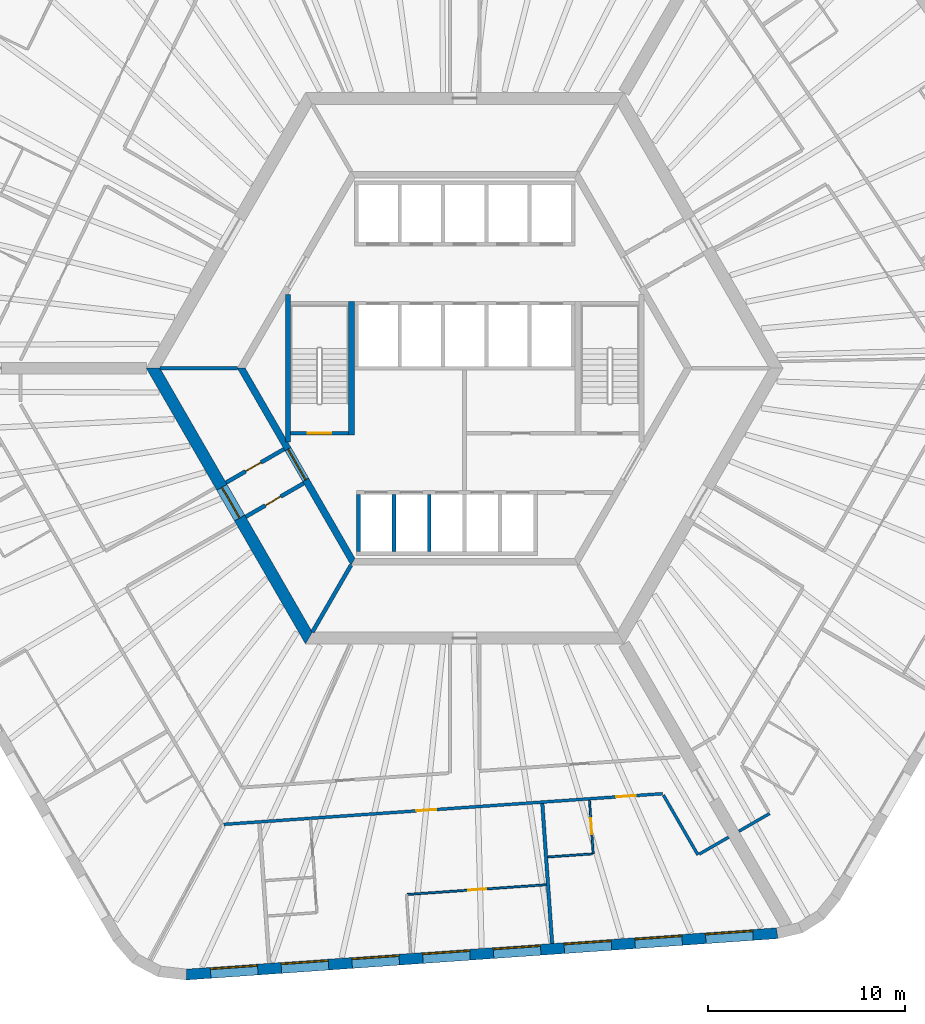
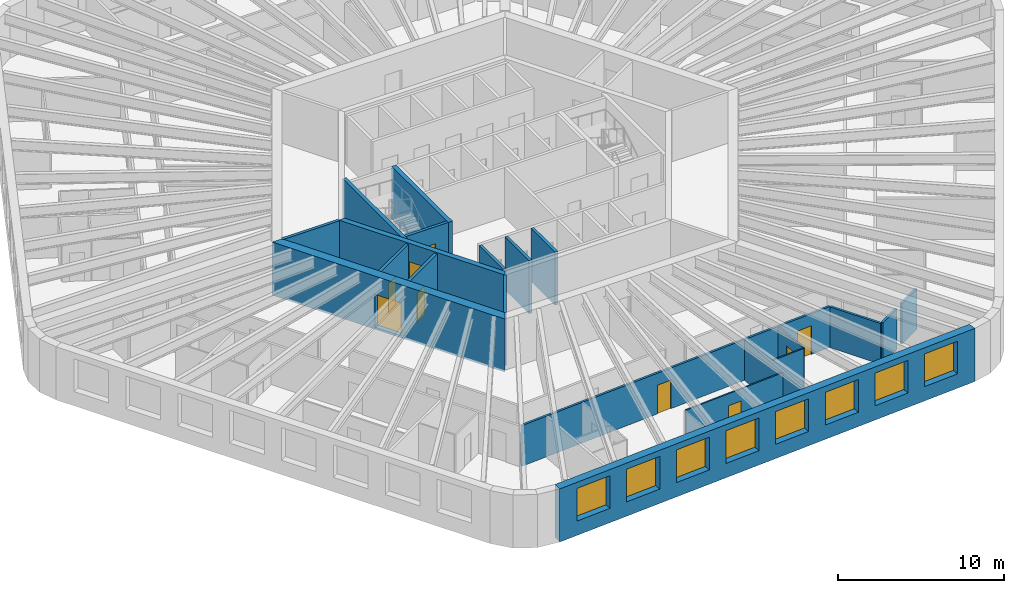
# One storey, part 4 of 12: 21 walls, 9 doors, 8 windows, 17 openings.
"""IFC4 building model written with IfcOpenShell, lengths in metres."""

from ifc_helpers import new_model, si_unit, direction, frame, frame_2d, origin, place, context, subcontext, project, spatial, polyline, rectangle, outline, extrude, material, layer, layer_set, type_object, element, fill, save


model = new_model("IFC4")

# Units and contexts
model_context = context("Model", 3, precision=1e-05, world=origin(), true_north=direction((0.0, 1.0)))
body_context = subcontext(model_context, "Body", "Model", "MODEL_VIEW")
ifc_project = project(units=[si_unit("LENGTHUNIT", "METRE"), si_unit("AREAUNIT", "SQUARE_METRE"), si_unit("VOLUMEUNIT", "CUBIC_METRE"), si_unit("PLANEANGLEUNIT", "RADIAN"), si_unit("MASSUNIT", "GRAM", prefix="KILO")], contexts=[model_context])

# Site, building, storey
site_placement = place(None, origin())
site = spatial("IfcSite", under=ifc_project, at=site_placement, CompositionType="ELEMENT")
building_placement = place(site_placement, origin())
building = spatial("IfcBuilding", under=site, at=building_placement, Name="Tarnside Tower", CompositionType="ELEMENT")
storey_placement = place(building_placement, frame((0.0, 0.0, 96.0)))
storey = spatial("IfcBuildingStorey", under=building, at=storey_placement, Name="L21", CompositionType="ELEMENT", Elevation=96.0)

# Wall, opening, door
ifc_material_1 = material(Name="Gypsum board partition on steel studs", Category="steel")
ifc_layer_1 = layer(ifc_material_1, 0.10009765625)
ifc_layer_set_1 = layer_set([ifc_layer_1], Name="Bathroom wall 100")
wall_type_1 = type_object("IfcWallType", Name="Bathroom wall 100", PredefinedType="PARTITIONING", material=ifc_layer_set_1)
wall_1_placement = place(storey_placement, frame((6.33447265625, -21.9365234375, 0.0), z_axis=(0.0, 0.0, 1.0), x_axis=(0.069789009646, -0.997561774595, 0.0)))
wall_1 = element("IfcWall", 1, at=wall_1_placement, inside=storey, type_object=wall_type_1, Name="Bathroom wall 06136", PredefinedType="PARTITIONING", context=body_context, shape_type="SweptSolid", body=[
    extrude(rectangle(XDim=2.72509765625, YDim=0.10009765625, at=frame_2d((1.362548828125, 0.0))), origin(), (0.0, 0.0, 1.0), 2.98779296875),
])
opening_1_placement = place(wall_1_placement, frame((0.925048828125, 0.0, 0.0)))
opening_1 = element("IfcOpeningElement", 2, at=opening_1_placement, cuts=wall_1, Name="Opening D-B1", PredefinedType="OPENING", context=body_context, shape_type="SweptSolid", body=[
    extrude(rectangle(XDim=0.800048828125, YDim=2.10009765625, at=frame_2d((0.39990234375, 1.050048828125))), frame((0.0, 0.06005859375, 0.0), z_axis=(0.0, -1.0, 0.0), x_axis=(1.0, 0.0, 0.0)), (0.0, 0.0, 1.0), 0.1201171875),
])
ifc_material_2 = material(Name="Timber door leaf", Category="wood")
door_type_1 = type_object("IfcDoorType", Name="Bathroom door 800", OperationType="NOTDEFINED", PredefinedType="DOOR", material=ifc_material_2)
door_1_placement = place(opening_1_placement, origin())
door_1 = element("IfcDoor", 3, at=door_1_placement, inside=storey, type_object=door_type_1, Name="Bathroom door 06029", OperationType="SINGLE_SWING_RIGHT", OverallHeight=2.10009765625, OverallWidth=0.800048828125, PredefinedType="DOOR", context=body_context, shape_type="SweptSolid", body=[
    extrude(rectangle(XDim=0.800048828125, YDim=2.10009765625, at=frame_2d((0.39990234375, 1.050048828125))), frame((0.0, 0.02490234375, 0.0), z_axis=(0.0, -1.0, 0.0), x_axis=(1.0, 0.0, 0.0)), (0.0, 0.0, 1.0), 0.050048828125),
])
fill(opening_1, door_1)

# Wall
wall_2_placement = place(storey_placement, frame((6.474853515625, -24.658447265625, 0.0), z_axis=(0.0, 0.0, 1.0), x_axis=(-0.997562351999, -0.069780755754, 0.0)))
element("IfcWall", 4, at=wall_2_placement, inside=storey, type_object=wall_type_1, Name="Bathroom wall 06137", PredefinedType="PARTITIONING", context=body_context, shape_type="SweptSolid", body=[
    extrude(rectangle(XDim=2.26025390625, YDim=0.10009765625, at=frame_2d((1.130126953125, 0.0))), origin(), (0.0, 0.0, 1.0), 2.98779296875),
])

# Wall, opening, door
ifc_material_3 = material(Name="Concrete C50/60", Category="concrete")
ifc_layer_2 = layer(ifc_material_3, 0.35009765625)
ifc_layer_set_2 = layer_set([ifc_layer_2], Name="Core block wall 350 C50/60")
wall_type_2 = type_object("IfcWallType", Name="Core block wall 350 C50/60", PredefinedType="SHEAR", material=ifc_layer_set_2)
wall_3_placement = place(storey_placement, frame((-11.344970703125, 0.0, -0.14990234375), z_axis=(0.0, 0.0, 1.0), x_axis=(0.499995046907, -0.866028263435, 0.0)))
wall_3 = element("IfcWall", 5, at=wall_3_placement, inside=storey, type_object=wall_type_2, Name="L21 core block wall face 3", PredefinedType="SHEAR", context=body_context, shape_type="SweptSolid", body=[
    extrude(outline(polyline([(-0.10107421875, -0.175048828125), (11.44580078125, -0.175048828125), (11.24365234375, 0.175048828125), (0.10107421875, 0.175048828125), (-0.10107421875, -0.175048828125)])), origin(), (0.0, 0.0, 1.0), 3.89990234375),
])
opening_2_placement = place(wall_3_placement, frame((4.74365234375, 0.0, 0.14990234375)))
opening_2 = element("IfcOpeningElement", 6, at=opening_2_placement, cuts=wall_3, Name="Opening CD-FFL", PredefinedType="OPENING", context=body_context, shape_type="SweptSolid", body=[
    extrude(rectangle(XDim=1.800048828125, YDim=2.39990234375, at=frame_2d((0.89990234375, 1.199951171875))), frame((0.0, 0.18505859375, 0.0), z_axis=(0.0, -1.0, 0.0), x_axis=(1.0, 0.0, 0.0)), (0.0, 0.0, 1.0), 0.3701171875),
])
ifc_material_4 = material(Name="Steel fire door", Category="steel")
door_type_2 = type_object("IfcDoorType", Name="Firefighting lobby double door FD60S 1800x2400", OperationType="NOTDEFINED", PredefinedType="DOOR", material=ifc_material_4)
door_2_placement = place(opening_2_placement, origin())
door_2 = element("IfcDoor", 7, at=door_2_placement, inside=storey, type_object=door_type_2, Name="L21 lobby block door P3", OperationType="DOUBLE_DOOR_SINGLE_SWING", OverallHeight=2.39990234375, OverallWidth=1.800048828125, PredefinedType="DOOR", context=body_context, shape_type="SweptSolid", body=[
    extrude(rectangle(XDim=1.800048828125, YDim=2.39990234375, at=frame_2d((0.89990234375, 1.199951171875))), frame((0.0, 0.02490234375, 0.0), z_axis=(0.0, -1.0, 0.0), x_axis=(1.0, 0.0, 0.0)), (0.0, 0.0, 1.0), 0.050048828125),
])
fill(opening_2, door_2)

ifc_material_5 = material(Name="Concrete C40/50", Category="concrete")
ifc_layer_3 = layer(ifc_material_5, 0.199951171875)
ifc_layer_set_3 = layer_set([ifc_layer_3], Name="Core room partition 200 C40/50")
wall_type_3 = type_object("IfcWallType", Name="Core room partition 200 C40/50", PredefinedType="PARTITIONING", material=ifc_layer_set_3)
wall_4_placement = place(storey_placement, frame((-8.1748046875, -5.841064453125, 0.0), z_axis=(0.0, 0.0, 1.0), x_axis=(-0.866020560687, -0.500008388397, 0.0)))
wall_4 = element("IfcWall", 8, at=wall_4_placement, inside=storey, type_object=wall_type_3, Name="L21 core partition AC2L", PredefinedType="PARTITIONING", context=body_context, shape_type="SweptSolid", body=[
    extrude(rectangle(XDim=3.39990234375, YDim=0.199951171875, at=frame_2d((1.699951171875, 0.0))), origin(), (0.0, 0.0, 1.0), 3.64990234375),
])
opening_3_placement = place(wall_4_placement, frame((1.349609375, 0.0, 0.0)))
opening_3 = element("IfcOpeningElement", 9, at=opening_3_placement, cuts=wall_4, Name="Opening CD-room", PredefinedType="OPENING", context=body_context, shape_type="SweptSolid", body=[
    extrude(rectangle(XDim=0.89990234375, YDim=2.10009765625, at=frame_2d((0.449951171875, 1.050048828125))), frame((0.0, 0.10986328125, 0.0), z_axis=(0.0, -1.0, 0.0), x_axis=(1.0, 0.0, 0.0)), (0.0, 0.0, 1.0), 0.219970703125),
])
door_type_3 = type_object("IfcDoorType", Name="Room door FD60 900x2100", OperationType="NOTDEFINED", PredefinedType="DOOR", material=ifc_material_4)
door_3_placement = place(opening_3_placement, origin())
door_3 = element("IfcDoor", 10, at=door_3_placement, inside=storey, type_object=door_type_3, Name="L21 core room door AX2L", OperationType="SINGLE_SWING_LEFT", OverallHeight=2.10009765625, OverallWidth=0.89990234375, PredefinedType="DOOR", context=body_context, shape_type="SweptSolid", body=[
    extrude(rectangle(XDim=0.89990234375, YDim=2.10009765625, at=frame_2d((0.449951171875, 1.050048828125))), frame((0.0, 0.02490234375, 0.0), z_axis=(0.0, -1.0, 0.0), x_axis=(1.0, 0.0, 0.0)), (0.0, 0.0, 1.0), 0.050048828125),
])
fill(opening_3, door_3)

wall_5_placement = place(storey_placement, frame((-9.1748046875, -4.10888671875, 0.0), z_axis=(0.0, 0.0, 1.0), x_axis=(-0.865989465428, -0.500062241894, 0.0)))
wall_5 = element("IfcWall", 11, at=wall_5_placement, inside=storey, type_object=wall_type_3, Name="L21 core partition AC2R", PredefinedType="PARTITIONING", context=body_context, shape_type="SweptSolid", body=[
    extrude(rectangle(XDim=3.39990234375, YDim=0.199951171875, at=frame_2d((1.699951171875, 0.0))), origin(), (0.0, 0.0, 1.0), 3.64990234375),
])
opening_4_placement = place(wall_5_placement, frame((1.3505859375, 0.0, 0.0)))
opening_4 = element("IfcOpeningElement", 12, at=opening_4_placement, cuts=wall_5, Name="Opening CD-room", PredefinedType="OPENING", context=body_context, shape_type="SweptSolid", body=[
    extrude(rectangle(XDim=0.89990234375, YDim=2.10009765625, at=frame_2d((0.449951171875, 1.050048828125))), frame((0.0, 0.10986328125, 0.0), z_axis=(0.0, -1.0, 0.0), x_axis=(1.0, 0.0, 0.0)), (0.0, 0.0, 1.0), 0.219970703125),
])
door_4_placement = place(opening_4_placement, origin())
door_4 = element("IfcDoor", 13, at=door_4_placement, inside=storey, type_object=door_type_3, Name="L21 core room door AX2R", OperationType="SINGLE_SWING_LEFT", OverallHeight=2.10009765625, OverallWidth=0.89990234375, PredefinedType="DOOR", context=body_context, shape_type="SweptSolid", body=[
    extrude(rectangle(XDim=0.89990234375, YDim=2.10009765625, at=frame_2d((0.449951171875, 1.050048828125))), frame((0.0, 0.02490234375, 0.0), z_axis=(0.0, -1.0, 0.0), x_axis=(1.0, 0.0, 0.0)), (0.0, 0.0, 1.0), 0.050048828125),
])
fill(opening_4, door_4)

ifc_material_6 = material(Name="Concrete C80/95", Category="concrete")
ifc_layer_4 = layer(ifc_material_6, 0.60009765625)
ifc_layer_set_4 = layer_set([ifc_layer_4], Name="Core wall Z1 600 C80/95")
wall_type_4 = type_object("IfcWallType", Name="Core wall Z1 600 C80/95", PredefinedType="SHEAR", material=ifc_layer_set_4)
wall_6_placement = place(storey_placement, frame((-15.8193359375, 0.0, -0.14990234375), z_axis=(0.0, 0.0, 1.0), x_axis=(0.499999880136, -0.866025472988, 0.0)))
wall_6 = element("IfcWall", 14, at=wall_6_placement, inside=storey, type_object=wall_type_4, Name="L21 core wall face 3", PredefinedType="SHEAR", context=body_context, shape_type="SweptSolid", body=[
    extrude(outline(polyline([(-0.17333984375, -0.300048828125), (15.99267578125, -0.300048828125), (15.64599609375, 0.300048828125), (0.17333984375, 0.300048828125), (-0.17333984375, -0.300048828125)])), origin(), (0.0, 0.0, 1.0), 3.89990234375),
])
opening_5_placement = place(wall_6_placement, frame((6.980712890625, 0.0, 0.14990234375)))
opening_5 = element("IfcOpeningElement", 15, at=opening_5_placement, cuts=wall_6, Name="Opening CD-FFL", PredefinedType="OPENING", context=body_context, shape_type="SweptSolid", body=[
    extrude(rectangle(XDim=1.800048828125, YDim=2.39990234375, at=frame_2d((0.89990234375, 1.199951171875))), frame((0.0, 0.31005859375, 0.0), z_axis=(0.0, -1.0, 0.0), x_axis=(1.0, 0.0, 0.0)), (0.0, 0.0, 1.0), 0.6201171875),
])
door_5_placement = place(opening_5_placement, origin())
door_5 = element("IfcDoor", 16, at=door_5_placement, inside=storey, type_object=door_type_2, Name="L21 core door P3", OperationType="DOUBLE_DOOR_SINGLE_SWING", OverallHeight=2.39990234375, OverallWidth=1.800048828125, PredefinedType="DOOR", context=body_context, shape_type="SweptSolid", body=[
    extrude(rectangle(XDim=1.800048828125, YDim=2.39990234375, at=frame_2d((0.89990234375, 1.199951171875))), frame((0.0, 0.02490234375, 0.0), z_axis=(0.0, -1.0, 0.0), x_axis=(1.0, 0.0, 0.0)), (0.0, 0.0, 1.0), 0.050048828125),
])
fill(opening_5, door_5)

# Wall, openings, doors
ifc_layer_5 = layer(ifc_material_1, 0.14990234375)
ifc_layer_set_5 = layer_set([ifc_layer_5], Name="Corridor wall 150 EI 60")
wall_type_5 = type_object("IfcWallType", Name="Corridor wall 150 EI 60", PredefinedType="PARTITIONING", material=ifc_layer_set_5)
wall_7_placement = place(storey_placement, frame((-12.234130859375, -23.159912109375, 0.0), z_axis=(0.0, 0.0, 1.0), x_axis=(0.997563845372, 0.069759403714, 0.0)))
wall_7 = element("IfcWall", 17, at=wall_7_placement, inside=storey, type_object=wall_type_5, Name="Corridor wall 06033", PredefinedType="PARTITIONING", context=body_context, shape_type="SweptSolid", body=[
    extrude(rectangle(XDim=22.33544921875, YDim=0.14990234375, at=frame_2d((11.167724609375, 0.0))), origin(), (0.0, 0.0, 1.0), 2.98779296875),
])
opening_6_placement = place(wall_7_placement, frame((9.808837890625, 0.0, 0.0)))
opening_6 = element("IfcOpeningElement", 18, at=opening_6_placement, cuts=wall_7, Name="Opening D-E1", PredefinedType="OPENING", context=body_context, shape_type="SweptSolid", body=[
    extrude(rectangle(XDim=1.0, YDim=2.10009765625, at=frame_2d((0.5, 1.050048828125))), frame((0.0, 0.0849609375, 0.0), z_axis=(0.0, -1.0, 0.0), x_axis=(1.0, 0.0, 0.0)), (0.0, 0.0, 1.0), 0.169921875),
])
opening_7_placement = place(wall_7_placement, frame((19.97216796875, 0.0, 0.0)))
opening_7 = element("IfcOpeningElement", 19, at=opening_7_placement, cuts=wall_7, Name="Opening D-E1", PredefinedType="OPENING", context=body_context, shape_type="SweptSolid", body=[
    extrude(rectangle(XDim=1.0, YDim=2.10009765625, at=frame_2d((0.5, 1.050048828125))), frame((0.0, 0.0849609375, 0.0), z_axis=(0.0, -1.0, 0.0), x_axis=(1.0, 0.0, 0.0)), (0.0, 0.0, 1.0), 0.169921875),
])
door_type_4 = type_object("IfcDoorType", Name="Unit entrance door 1000 FD30S", OperationType="NOTDEFINED", PredefinedType="DOOR", material=ifc_material_2)
door_6_placement = place(opening_6_placement, origin())
door_6 = element("IfcDoor", 20, at=door_6_placement, inside=storey, type_object=door_type_4, Name="Unit door 06024", OperationType="SINGLE_SWING_RIGHT", OverallHeight=2.10009765625, OverallWidth=1.0, PredefinedType="DOOR", context=body_context, shape_type="SweptSolid", body=[
    extrude(rectangle(XDim=1.0, YDim=2.10009765625, at=frame_2d((0.5, 1.050048828125))), frame((0.0, 0.02490234375, 0.0), z_axis=(0.0, -1.0, 0.0), x_axis=(1.0, 0.0, 0.0)), (0.0, 0.0, 1.0), 0.050048828125),
])
fill(opening_6, door_6)
door_7_placement = place(opening_7_placement, origin())
door_7 = element("IfcDoor", 21, at=door_7_placement, inside=storey, type_object=door_type_4, Name="Unit door 06028", OperationType="SINGLE_SWING_LEFT", OverallHeight=2.10009765625, OverallWidth=1.0, PredefinedType="DOOR", context=body_context, shape_type="SweptSolid", body=[
    extrude(rectangle(XDim=1.0, YDim=2.10009765625, at=frame_2d((0.5, 1.050048828125))), frame((0.0, 0.02490234375, 0.0), z_axis=(0.0, -1.0, 0.0), x_axis=(1.0, 0.0, 0.0)), (0.0, 0.0, 1.0), 0.050048828125),
])
fill(opening_7, door_7)

# Walls
wall_8_placement = place(storey_placement, frame((10.088623046875, -21.674072265625, 0.0), z_axis=(0.0, 0.0, 1.0), x_axis=(0.500003763204, -0.866023231087, 0.0)))
element("IfcWall", 22, at=wall_8_placement, inside=storey, type_object=wall_type_5, Name="Corridor wall 06037", PredefinedType="PARTITIONING", context=body_context, shape_type="SweptSolid", body=[
    extrude(rectangle(XDim=3.505859375, YDim=0.14990234375, at=frame_2d((1.7529296875, 0.0))), origin(), (0.0, 0.0, 1.0), 2.98779296875),
])
wall_9_placement = place(storey_placement, frame((11.906494140625, -24.672607421875, 0.0), z_axis=(0.0, 0.0, 1.0), x_axis=(0.866013532718, 0.500020560727, 0.0)))
element("IfcWall", 23, at=wall_9_placement, inside=storey, type_object=wall_type_5, Name="Corridor wall 06038", PredefinedType="PARTITIONING", context=body_context, shape_type="SweptSolid", body=[
    extrude(rectangle(XDim=1.72509765625, YDim=0.14990234375, at=frame_2d((0.862548828125, 0.0))), origin(), (0.0, 0.0, 1.0), 2.98779296875),
])
wall_10_placement = place(storey_placement, frame((13.919921875, -23.510009765625, 0.0), z_axis=(0.0, 0.0, 1.0), x_axis=(0.866047807691, 0.499961193289, 0.0)))
element("IfcWall", 24, at=wall_10_placement, inside=storey, type_object=wall_type_5, Name="Corridor wall 06050", PredefinedType="PARTITIONING", context=body_context, shape_type="SweptSolid", body=[
    extrude(rectangle(XDim=1.800048828125, YDim=0.14990234375, at=frame_2d((0.89990234375, 0.0))), origin(), (0.0, 0.0, 1.0), 2.98779296875),
])
ifc_layer_6 = layer(ifc_material_1, 0.179931640625)
ifc_layer_set_6 = layer_set([ifc_layer_6], Name="Demising wall 180 EI 60")
wall_type_6 = type_object("IfcWallType", Name="Demising wall 180 EI 60", PredefinedType="PARTITIONING", material=ifc_layer_set_6)
wall_11_placement = place(storey_placement, frame((4.4375, -29.211669921875, 0.0), z_axis=(0.0, 0.0, 1.0), x_axis=(-0.069764000094, 0.997563523938, 0.0)))
element("IfcWall", 25, at=wall_11_placement, inside=storey, type_object=wall_type_6, Name="Demising wall 06132", PredefinedType="PARTITIONING", context=body_context, shape_type="SweptSolid", body=[
    extrude(rectangle(XDim=7.125, YDim=0.179931640625, at=frame_2d((3.5625, 0.0))), origin(), (0.0, 0.0, 1.0), 2.98779296875),
])
ifc_layer_7 = layer(ifc_material_5, 0.199951171875)
ifc_layer_set_7 = layer_set([ifc_layer_7], Name="Lift shaft wall 200 C40/50")
wall_type_7 = type_object("IfcWallType", Name="Lift shaft wall 200 C40/50", PredefinedType="SHEAR", material=ifc_layer_set_7)
for number, where, z_axis, x_axis, name in (
    (26, (-5.39990234375, -9.300048828125, -0.25), (0.0, 0.0, 1.0), (0.0, 1.0, 0.0), "L21 lift shaft partition R41"),
    (27, (-3.60009765625, -9.300048828125, -0.25), (0.0, 0.0, 1.0), (0.0, 1.0, 0.0), "L21 lift shaft partition R42"),
    (28, (-1.800048828125, -9.300048828125, -0.25), (0.0, 0.0, 1.0), (0.0, 1.0, 0.0), "L21 lift shaft partition R43"),
):
    element("IfcWall", number, at=place(storey_placement, frame(where, z_axis=z_axis, x_axis=x_axis)), inside=storey, type_object=wall_type_7, Name=name, PredefinedType="SHEAR", context=body_context, shape_type="SweptSolid", body=[
        extrude(rectangle(XDim=2.900146484375, YDim=0.199951171875, at=frame_2d((1.4501953125, 0.0))), origin(), (0.0, 0.0, 1.0), 3.89990234375),
    ])
wall_12_placement = place(storey_placement, frame((-11.547119140625, 0.0, -0.14990234375), z_axis=(0.0, 0.0, 1.0), x_axis=(-1.0, 0.0, 0.0)))
element("IfcWall", 29, at=wall_12_placement, inside=storey, type_object=wall_type_7, Name="L21 core partition AR180", PredefinedType="SHEAR", context=body_context, shape_type="SweptSolid", body=[
    extrude(rectangle(XDim=3.92578125, YDim=0.199951171875, at=frame_2d((1.962890625, 0.0))), origin(), (0.0, 0.0, 1.0), 3.89990234375),
])
wall_13_placement = place(storey_placement, frame((-5.7734375, -10.0, -0.14990234375), z_axis=(0.0, 0.0, 1.0), x_axis=(-0.500038251005, -0.86600331843, 0.0)))
element("IfcWall", 30, at=wall_13_placement, inside=storey, type_object=wall_type_7, Name="L21 core partition AR240", PredefinedType="SHEAR", context=body_context, shape_type="SweptSolid", body=[
    extrude(rectangle(XDim=3.926025390625, YDim=0.199951171875, at=frame_2d((1.962890625, 0.0))), origin(), (0.0, 0.0, 1.0), 3.89990234375),
])

# Wall, opening, door
wall_14_placement = place(storey_placement, frame((-8.85009765625, -3.300048828125, -0.25), z_axis=(0.0, 0.0, 1.0), x_axis=(1.0, 0.0, 0.0)))
wall_14 = element("IfcWall", 31, at=wall_14_placement, inside=storey, type_object=wall_type_7, Name="L21 stair 2 enclosure cap wall s", PredefinedType="SHEAR", context=body_context, shape_type="SweptSolid", body=[
    extrude(rectangle(XDim=2.9501953125, YDim=0.199951171875, at=frame_2d((1.47509765625, 0.0))), origin(), (0.0, 0.0, 1.0), 3.89990234375),
])
opening_8_placement = place(wall_14_placement, frame((0.875, 0.0, 0.25)))
opening_8 = element("IfcOpeningElement", 32, at=opening_8_placement, cuts=wall_14, Name="Opening CD-STR", PredefinedType="OPENING", context=body_context, shape_type="SweptSolid", body=[
    extrude(rectangle(XDim=1.199951171875, YDim=2.39990234375, at=frame_2d((0.60009765625, 1.199951171875))), frame((0.0, 0.10986328125, 0.0), z_axis=(0.0, -1.0, 0.0), x_axis=(1.0, 0.0, 0.0)), (0.0, 0.0, 1.0), 0.219970703125),
])
door_type_5 = type_object("IfcDoorType", Name="Stair door FD60S 1200x2400", OperationType="NOTDEFINED", PredefinedType="DOOR", material=ifc_material_4)
door_8_placement = place(opening_8_placement, origin())
door_8 = element("IfcDoor", 33, at=door_8_placement, inside=storey, type_object=door_type_5, Name="L21 stair 2 door", OperationType="SINGLE_SWING_LEFT", OverallHeight=2.39990234375, OverallWidth=1.199951171875, PredefinedType="DOOR", context=body_context, shape_type="SweptSolid", body=[
    extrude(rectangle(XDim=1.199951171875, YDim=2.39990234375, at=frame_2d((0.60009765625, 1.199951171875))), frame((0.0, 0.02490234375, 0.0), z_axis=(0.0, -1.0, 0.0), x_axis=(1.0, 0.0, 0.0)), (0.0, 0.0, 1.0), 0.050048828125),
])
fill(opening_8, door_8)

ifc_layer_8 = layer(ifc_material_1, 0.10009765625)
ifc_layer_set_8 = layer_set([ifc_layer_8], Name="Partition 100")
wall_type_8 = type_object("IfcWallType", Name="Partition 100", PredefinedType="PARTITIONING", material=ifc_layer_set_8)
wall_15_placement = place(storey_placement, frame((-2.904541015625, -26.7177734375, 0.0), z_axis=(0.0, 0.0, 1.0), x_axis=(0.997562242002, 0.069782328216, 0.0)))
wall_15 = element("IfcWall", 34, at=wall_15_placement, inside=storey, type_object=wall_type_8, Name="Partition wall 06131", PredefinedType="PARTITIONING", context=body_context, shape_type="SweptSolid", body=[
    extrude(rectangle(XDim=7.06005859375, YDim=0.10009765625, at=frame_2d((3.530029296875, 0.0))), origin(), (0.0, 0.0, 1.0), 2.98779296875),
])
opening_9_placement = place(wall_15_placement, frame((3.10009765625, 0.0, 0.0)))
opening_9 = element("IfcOpeningElement", 35, at=opening_9_placement, cuts=wall_15, Name="Opening D-I1", PredefinedType="OPENING", context=body_context, shape_type="SweptSolid", body=[
    extrude(rectangle(XDim=0.89990234375, YDim=2.10009765625, at=frame_2d((0.449951171875, 1.050048828125))), frame((0.0, 0.06005859375, 0.0), z_axis=(0.0, -1.0, 0.0), x_axis=(1.0, 0.0, 0.0)), (0.0, 0.0, 1.0), 0.1201171875),
])
door_type_6 = type_object("IfcDoorType", Name="Internal door 900", OperationType="NOTDEFINED", PredefinedType="DOOR", material=ifc_material_2)
door_9_placement = place(opening_9_placement, origin())
door_9 = element("IfcDoor", 36, at=door_9_placement, inside=storey, type_object=door_type_6, Name="Internal door 06027", OperationType="SINGLE_SWING_RIGHT", OverallHeight=2.10009765625, OverallWidth=0.89990234375, PredefinedType="DOOR", context=body_context, shape_type="SweptSolid", body=[
    extrude(rectangle(XDim=0.89990234375, YDim=2.10009765625, at=frame_2d((0.449951171875, 1.050048828125))), frame((0.0, 0.02490234375, 0.0), z_axis=(0.0, -1.0, 0.0), x_axis=(1.0, 0.0, 0.0)), (0.0, 0.0, 1.0), 0.050048828125),
])
fill(opening_9, door_9)

# Walls
ifc_layer_9 = layer(ifc_material_5, 0.25)
ifc_layer_set_9 = layer_set([ifc_layer_9], Name="Stair enclosure wall 250 C40/50")
wall_type_9 = type_object("IfcWallType", Name="Stair enclosure wall 250 C40/50", PredefinedType="SHEAR", material=ifc_layer_set_9)
wall_16_placement = place(storey_placement, frame((-8.97509765625, -3.7548828125, -0.25), z_axis=(0.0, 0.0, 1.0), x_axis=(0.0, 1.0, 0.0)))
element("IfcWall", 37, at=wall_16_placement, inside=storey, type_object=wall_type_9, Name="L21 stair 2 enclosure wall outer", PredefinedType="SHEAR", context=body_context, shape_type="SweptSolid", body=[
    extrude(rectangle(XDim=7.509765625, YDim=0.25, at=frame_2d((3.7548828125, 0.0))), origin(), (0.0, 0.0, 1.0), 3.89990234375),
])
ifc_layer_10 = layer(ifc_material_5, 0.300048828125)
ifc_layer_set_10 = layer_set([ifc_layer_10], Name="Stair enclosure wall 300 C40/50")
wall_type_10 = type_object("IfcWallType", Name="Stair enclosure wall 300 C40/50", PredefinedType="SHEAR", material=ifc_layer_set_10)
wall_17_placement = place(storey_placement, frame((-5.75, -3.39990234375, -0.25), z_axis=(0.0, 0.0, 1.0), x_axis=(0.0, 1.0, 0.0)))
element("IfcWall", 38, at=wall_17_placement, inside=storey, type_object=wall_type_10, Name="L21 stair 2 enclosure wall inner", PredefinedType="SHEAR", context=body_context, shape_type="SweptSolid", body=[
    extrude(rectangle(XDim=6.7998046875, YDim=0.300048828125, at=frame_2d((3.39990234375, 0.0))), origin(), (0.0, 0.0, 1.0), 3.89990234375),
])

# Wall, openings, windows
ifc_material_7 = material(Name="Facing brick", Category="masonry")
ifc_layer_11 = layer(ifc_material_7, 0.10205078125)
ifc_material_8 = material(Name="Concrete C60/75 precast", Category="concrete")
ifc_layer_12 = layer(ifc_material_8, 0.347900390625)
ifc_material_9 = material(Name="Mineral wool insulation")
ifc_layer_13 = layer(ifc_material_9, 0.10009765625)
ifc_layer_set_11 = layer_set([ifc_layer_11, ifc_layer_12, ifc_layer_13], Name="Tube wall 550 brick faced")
wall_type_11 = type_object("IfcWallType", Name="Tube wall 550 brick faced", PredefinedType="SOLIDWALL", material=ifc_layer_set_11)
wall_18_placement = place(storey_placement, frame((-14.133544921875, -30.785888671875, -0.14990234375), z_axis=(0.0, 0.0, 1.0), x_axis=(0.997564037441, 0.069756657061, 0.0)))
wall_18 = element("IfcWall", 39, at=wall_18_placement, inside=storey, type_object=wall_type_11, Name="Tube wall L21 F4 flush 12", PredefinedType="SOLIDWALL", context=body_context, shape_type="SweptSolid", body=[
    extrude(outline(polyline([(-0.025634765625, -0.27490234375), (30.093505859375, -0.27490234375), (30.048583984375, 0.27490234375), (0.025634765625, 0.27490234375), (-0.025634765625, -0.27490234375)])), origin(), (0.0, 0.0, 1.0), 3.89990234375),
])
opening_10_placement = place(wall_18_placement, frame((1.235595703125, 0.0, 1.050048828125)))
opening_10 = element("IfcOpeningElement", 40, at=opening_10_placement, cuts=wall_18, Name="Opening WH", PredefinedType="OPENING", context=body_context, shape_type="SweptSolid", body=[
    extrude(rectangle(XDim=2.39990234375, YDim=2.39990234375, at=frame_2d((1.199951171875, 1.199951171875))), frame((0.0, 0.28515625, 0.0), z_axis=(0.0, -1.0, 0.0), x_axis=(1.0, 0.0, 0.0)), (0.0, 0.0, 1.0), 0.570068359375),
])
opening_11_placement = place(wall_18_placement, frame((4.83544921875, 0.0, 1.050048828125)))
opening_11 = element("IfcOpeningElement", 41, at=opening_11_placement, cuts=wall_18, Name="Opening WH", PredefinedType="OPENING", context=body_context, shape_type="SweptSolid", body=[
    extrude(rectangle(XDim=2.39990234375, YDim=2.39990234375, at=frame_2d((1.199951171875, 1.199951171875))), frame((0.0, 0.28515625, 0.0), z_axis=(0.0, -1.0, 0.0), x_axis=(1.0, 0.0, 0.0)), (0.0, 0.0, 1.0), 0.570068359375),
])
opening_12_placement = place(wall_18_placement, frame((8.435546875, 0.0, 1.050048828125)))
opening_12 = element("IfcOpeningElement", 42, at=opening_12_placement, cuts=wall_18, Name="Opening WH", PredefinedType="OPENING", context=body_context, shape_type="SweptSolid", body=[
    extrude(rectangle(XDim=2.39990234375, YDim=2.39990234375, at=frame_2d((1.199951171875, 1.199951171875))), frame((0.0, 0.28515625, 0.0), z_axis=(0.0, -1.0, 0.0), x_axis=(1.0, 0.0, 0.0)), (0.0, 0.0, 1.0), 0.570068359375),
])
opening_13_placement = place(wall_18_placement, frame((12.035400390625, 0.0, 1.050048828125)))
opening_13 = element("IfcOpeningElement", 43, at=opening_13_placement, cuts=wall_18, Name="Opening WH", PredefinedType="OPENING", context=body_context, shape_type="SweptSolid", body=[
    extrude(rectangle(XDim=2.39990234375, YDim=2.39990234375, at=frame_2d((1.199951171875, 1.199951171875))), frame((0.0, 0.28515625, 0.0), z_axis=(0.0, -1.0, 0.0), x_axis=(1.0, 0.0, 0.0)), (0.0, 0.0, 1.0), 0.570068359375),
])
opening_14_placement = place(wall_18_placement, frame((15.635498046875, 0.0, 1.050048828125)))
opening_14 = element("IfcOpeningElement", 44, at=opening_14_placement, cuts=wall_18, Name="Opening WH", PredefinedType="OPENING", context=body_context, shape_type="SweptSolid", body=[
    extrude(rectangle(XDim=2.39990234375, YDim=2.39990234375, at=frame_2d((1.199951171875, 1.199951171875))), frame((0.0, 0.28515625, 0.0), z_axis=(0.0, -1.0, 0.0), x_axis=(1.0, 0.0, 0.0)), (0.0, 0.0, 1.0), 0.570068359375),
])
opening_15_placement = place(wall_18_placement, frame((19.235595703125, 0.0, 1.050048828125)))
opening_15 = element("IfcOpeningElement", 45, at=opening_15_placement, cuts=wall_18, Name="Opening WH", PredefinedType="OPENING", context=body_context, shape_type="SweptSolid", body=[
    extrude(rectangle(XDim=2.39990234375, YDim=2.39990234375, at=frame_2d((1.199951171875, 1.199951171875))), frame((0.0, 0.28515625, 0.0), z_axis=(0.0, -1.0, 0.0), x_axis=(1.0, 0.0, 0.0)), (0.0, 0.0, 1.0), 0.570068359375),
])
opening_16_placement = place(wall_18_placement, frame((22.83544921875, 0.0, 1.050048828125)))
opening_16 = element("IfcOpeningElement", 46, at=opening_16_placement, cuts=wall_18, Name="Opening WH", PredefinedType="OPENING", context=body_context, shape_type="SweptSolid", body=[
    extrude(rectangle(XDim=2.39990234375, YDim=2.39990234375, at=frame_2d((1.199951171875, 1.199951171875))), frame((0.0, 0.28515625, 0.0), z_axis=(0.0, -1.0, 0.0), x_axis=(1.0, 0.0, 0.0)), (0.0, 0.0, 1.0), 0.570068359375),
])
opening_17_placement = place(wall_18_placement, frame((26.435546875, 0.0, 1.050048828125)))
opening_17 = element("IfcOpeningElement", 47, at=opening_17_placement, cuts=wall_18, Name="Opening WH", PredefinedType="OPENING", context=body_context, shape_type="SweptSolid", body=[
    extrude(rectangle(XDim=2.39990234375, YDim=2.39990234375, at=frame_2d((1.199951171875, 1.199951171875))), frame((0.0, 0.28515625, 0.0), z_axis=(0.0, -1.0, 0.0), x_axis=(1.0, 0.0, 0.0)), (0.0, 0.0, 1.0), 0.570068359375),
])
ifc_material_10 = material(Name="Aluminium-framed double glazing", Category="aluminium")
window_type = type_object("IfcWindowType", Name="Hotel window 2400 x 2400", PartitioningType="DOUBLE_PANEL_VERTICAL", PredefinedType="WINDOW", material=ifc_material_10)
window_1_placement = place(opening_10_placement, frame((0.0, 0.205078125, 0.0)))
window_1 = element("IfcWindow", 48, at=window_1_placement, inside=storey, type_object=window_type, Name="E.WN.L21.F4.00", OverallHeight=2.39990234375, OverallWidth=2.39990234375, PartitioningType="DOUBLE_PANEL_VERTICAL", PredefinedType="WINDOW", context=body_context, shape_type="SweptSolid", body=[
    extrude(rectangle(XDim=2.39990234375, YDim=2.39990234375, at=frame_2d((1.199951171875, 1.199951171875))), frame((0.0, 0.030029296875, 0.0), z_axis=(0.0, -1.0, 0.0), x_axis=(1.0, 0.0, 0.0)), (0.0, 0.0, 1.0), 0.06005859375),
])
fill(opening_10, window_1)
window_2_placement = place(opening_11_placement, frame((0.0, 0.205078125, 0.0)))
window_2 = element("IfcWindow", 49, at=window_2_placement, inside=storey, type_object=window_type, Name="E.WN.L21.F4.01", OverallHeight=2.39990234375, OverallWidth=2.39990234375, PartitioningType="DOUBLE_PANEL_VERTICAL", PredefinedType="WINDOW", context=body_context, shape_type="SweptSolid", body=[
    extrude(rectangle(XDim=2.39990234375, YDim=2.39990234375, at=frame_2d((1.199951171875, 1.199951171875))), frame((0.0, 0.030029296875, 0.0), z_axis=(0.0, -1.0, 0.0), x_axis=(1.0, 0.0, 0.0)), (0.0, 0.0, 1.0), 0.06005859375),
])
fill(opening_11, window_2)
window_3_placement = place(opening_12_placement, frame((0.0, 0.205078125, 0.0)))
window_3 = element("IfcWindow", 50, at=window_3_placement, inside=storey, type_object=window_type, Name="E.WN.L21.F4.02", OverallHeight=2.39990234375, OverallWidth=2.39990234375, PartitioningType="DOUBLE_PANEL_VERTICAL", PredefinedType="WINDOW", context=body_context, shape_type="SweptSolid", body=[
    extrude(rectangle(XDim=2.39990234375, YDim=2.39990234375, at=frame_2d((1.199951171875, 1.199951171875))), frame((0.0, 0.030029296875, 0.0), z_axis=(0.0, -1.0, 0.0), x_axis=(1.0, 0.0, 0.0)), (0.0, 0.0, 1.0), 0.06005859375),
])
fill(opening_12, window_3)
window_4_placement = place(opening_13_placement, frame((0.0, 0.205078125, 0.0)))
window_4 = element("IfcWindow", 51, at=window_4_placement, inside=storey, type_object=window_type, Name="E.WN.L21.F4.03", OverallHeight=2.39990234375, OverallWidth=2.39990234375, PartitioningType="DOUBLE_PANEL_VERTICAL", PredefinedType="WINDOW", context=body_context, shape_type="SweptSolid", body=[
    extrude(rectangle(XDim=2.39990234375, YDim=2.39990234375, at=frame_2d((1.199951171875, 1.199951171875))), frame((0.0, 0.030029296875, 0.0), z_axis=(0.0, -1.0, 0.0), x_axis=(1.0, 0.0, 0.0)), (0.0, 0.0, 1.0), 0.06005859375),
])
fill(opening_13, window_4)
window_5_placement = place(opening_14_placement, frame((0.0, 0.205078125, 0.0)))
window_5 = element("IfcWindow", 52, at=window_5_placement, inside=storey, type_object=window_type, Name="E.WN.L21.F4.04", OverallHeight=2.39990234375, OverallWidth=2.39990234375, PartitioningType="DOUBLE_PANEL_VERTICAL", PredefinedType="WINDOW", context=body_context, shape_type="SweptSolid", body=[
    extrude(rectangle(XDim=2.39990234375, YDim=2.39990234375, at=frame_2d((1.199951171875, 1.199951171875))), frame((0.0, 0.030029296875, 0.0), z_axis=(0.0, -1.0, 0.0), x_axis=(1.0, 0.0, 0.0)), (0.0, 0.0, 1.0), 0.06005859375),
])
fill(opening_14, window_5)
window_6_placement = place(opening_15_placement, frame((0.0, 0.205078125, 0.0)))
window_6 = element("IfcWindow", 53, at=window_6_placement, inside=storey, type_object=window_type, Name="E.WN.L21.F4.05", OverallHeight=2.39990234375, OverallWidth=2.39990234375, PartitioningType="DOUBLE_PANEL_VERTICAL", PredefinedType="WINDOW", context=body_context, shape_type="SweptSolid", body=[
    extrude(rectangle(XDim=2.39990234375, YDim=2.39990234375, at=frame_2d((1.199951171875, 1.199951171875))), frame((0.0, 0.030029296875, 0.0), z_axis=(0.0, -1.0, 0.0), x_axis=(1.0, 0.0, 0.0)), (0.0, 0.0, 1.0), 0.06005859375),
])
fill(opening_15, window_6)
window_7_placement = place(opening_16_placement, frame((0.0, 0.205078125, 0.0)))
window_7 = element("IfcWindow", 54, at=window_7_placement, inside=storey, type_object=window_type, Name="E.WN.L21.F4.06", OverallHeight=2.39990234375, OverallWidth=2.39990234375, PartitioningType="DOUBLE_PANEL_VERTICAL", PredefinedType="WINDOW", context=body_context, shape_type="SweptSolid", body=[
    extrude(rectangle(XDim=2.39990234375, YDim=2.39990234375, at=frame_2d((1.199951171875, 1.199951171875))), frame((0.0, 0.030029296875, 0.0), z_axis=(0.0, -1.0, 0.0), x_axis=(1.0, 0.0, 0.0)), (0.0, 0.0, 1.0), 0.06005859375),
])
fill(opening_16, window_7)
window_8_placement = place(opening_17_placement, frame((0.0, 0.205078125, 0.0)))
window_8 = element("IfcWindow", 55, at=window_8_placement, inside=storey, type_object=window_type, Name="E.WN.L21.F4.07", OverallHeight=2.39990234375, OverallWidth=2.39990234375, PartitioningType="DOUBLE_PANEL_VERTICAL", PredefinedType="WINDOW", context=body_context, shape_type="SweptSolid", body=[
    extrude(rectangle(XDim=2.39990234375, YDim=2.39990234375, at=frame_2d((1.199951171875, 1.199951171875))), frame((0.0, 0.030029296875, 0.0), z_axis=(0.0, -1.0, 0.0), x_axis=(1.0, 0.0, 0.0)), (0.0, 0.0, 1.0), 0.06005859375),
])
fill(opening_17, window_8)

save(model, "model.ifc")
